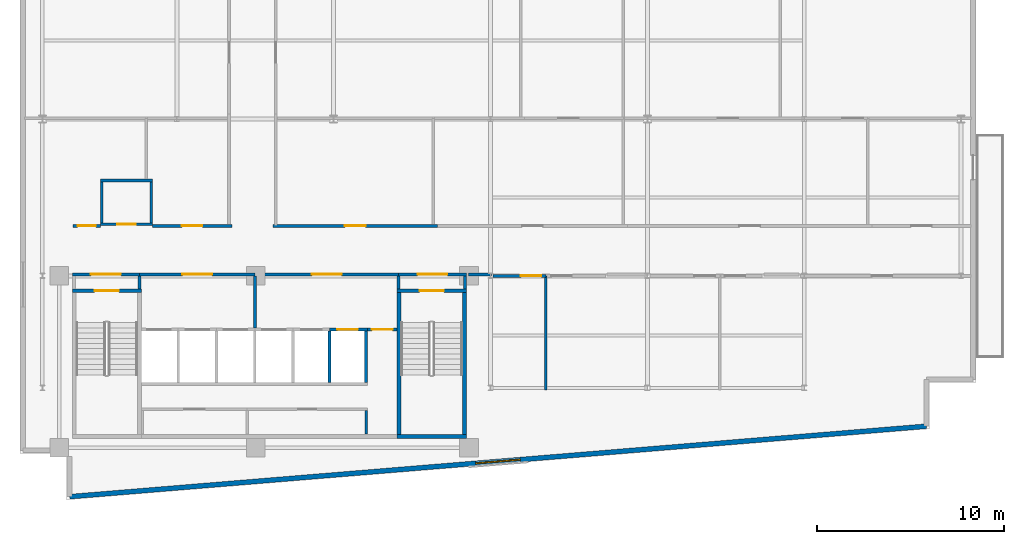
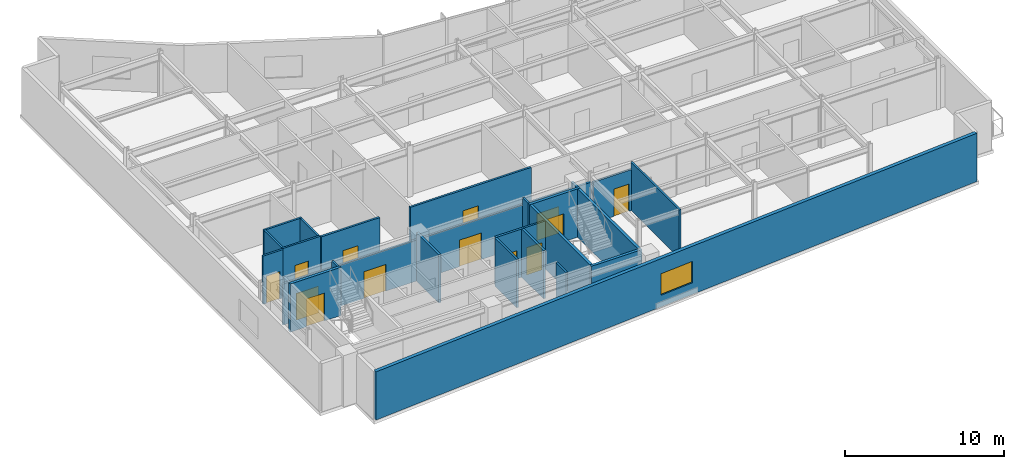
# One storey, part 9 of 14: 29 walls, 13 doors, 1 window, 14 openings.
"""IFC4 building model written with IfcOpenShell, lengths in metres."""

from ifc_helpers import new_model, si_unit, direction, frame, frame_2d, origin, place, context, subcontext, project, spatial, rectangle, extrude, material, layer, layer_set, type_object, element, fill, save


model = new_model("IFC4")

# Units and contexts
model_context = context("Model", 3, precision=1e-05, world=origin(), true_north=direction((0.0, 1.0)))
body_context = subcontext(model_context, "Body", "Model", "MODEL_VIEW")
ifc_project = project(units=[si_unit("LENGTHUNIT", "METRE"), si_unit("AREAUNIT", "SQUARE_METRE"), si_unit("VOLUMEUNIT", "CUBIC_METRE"), si_unit("PLANEANGLEUNIT", "RADIAN"), si_unit("MASSUNIT", "GRAM", prefix="KILO")], contexts=[model_context])

# Site, building, storey
site_placement = place(None, origin())
site = spatial("IfcSite", under=ifc_project, at=site_placement, CompositionType="ELEMENT")
building_placement = place(site_placement, origin())
building = spatial("IfcBuilding", under=site, at=building_placement, Name="Varnakote Quay Hospital", CompositionType="ELEMENT")
storey_placement = place(building_placement, frame((0.0, 0.0, 211.85009765625)))
storey = spatial("IfcBuildingStorey", under=building, at=storey_placement, Name="L52", CompositionType="ELEMENT", Elevation=211.85009765625)

# Wall, opening, door
ifc_material_1 = material(Name="Fire-rated acoustic gypsum stud wall", Category="gypsum")
ifc_layer_1 = layer(ifc_material_1, 0.159912109375)
ifc_layer_set_1 = layer_set([ifc_layer_1], Name="Fire-rated acoustic gypsum stud wall")
wall_type_1 = type_object("IfcWallType", Name="WL-COMP-160", PredefinedType="PARTITIONING", material=ifc_layer_set_1)
wall_1_placement = place(storey_placement, frame((2.800048828125, 12.080078125, 0.0), z_axis=(0.0, 0.0, 1.0), x_axis=(1.0, 0.0, 0.0)))
wall_1 = element("IfcWall", 1, at=wall_1_placement, inside=storey, type_object=wall_type_1, Name="L52 West Stair Vestibule Smoke Wall", PredefinedType="PARTITIONING", context=body_context, shape_type="SweptSolid", body=[
    extrude(rectangle(XDim=3.599853515625, YDim=0.159912109375, at=frame_2d((1.7998046875, 0.0))), origin(), (0.0, 0.0, 1.0), 3.15185546875),
])
opening_1_placement = place(wall_1_placement, frame((1.0, 0.0, 0.0)))
opening_1 = element("IfcOpeningElement", 2, at=opening_1_placement, cuts=wall_1, Name="Opening D-ST1L-L52", PredefinedType="OPENING", context=body_context, shape_type="SweptSolid", body=[
    extrude(rectangle(XDim=1.60009765625, YDim=2.050048828125, at=frame_2d((0.800048828125, 1.02490234375))), frame((0.0, 0.08984375, 0.0), z_axis=(0.0, -1.0, 0.0), x_axis=(1.0, 0.0, 0.0)), (0.0, 0.0, 1.0), 0.179931640625),
])
ifc_material_2 = material(Name="Fire-rated double smoke lobby door")
door_type_1 = type_object("IfcDoorType", Name="DR-LOBBY-FD60S-1600x2150", OperationType="NOTDEFINED", PredefinedType="DOOR", material=ifc_material_2)
door_1_placement = place(opening_1_placement, origin())
door_1 = element("IfcDoor", 3, at=door_1_placement, inside=storey, type_object=door_type_1, Name="L52 West Stair Vestibule Smoke Door", OperationType="DOUBLE_DOOR_SINGLE_SWING", OverallHeight=2.050048828125, OverallWidth=1.60009765625, PredefinedType="DOOR", context=body_context, shape_type="SweptSolid", body=[
    extrude(rectangle(XDim=1.60009765625, YDim=2.050048828125, at=frame_2d((0.800048828125, 1.02490234375))), frame((0.0, 0.02490234375, 0.0), z_axis=(0.0, -1.0, 0.0), x_axis=(1.0, 0.0, 0.0)), (0.0, 0.0, 1.0), 0.050048828125),
])
fill(opening_1, door_1)

# Wall
wall_2_placement = place(storey_placement, frame((6.39990234375, 11.300048828125, 0.0), z_axis=(0.0, 0.0, 1.0), x_axis=(0.0, 1.0, 0.0)))
element("IfcWall", 4, at=wall_2_placement, inside=storey, type_object=wall_type_1, Name="L52 Firefighting Lobby West Wall", PredefinedType="PARTITIONING", context=body_context, shape_type="SweptSolid", body=[
    extrude(rectangle(XDim=0.699951171875, YDim=0.159912109375, at=frame_2d((0.35009765625, 0.0))), origin(), (0.0, 0.0, 1.0), 3.7099609375),
])

# Wall, opening, door
wall_3_placement = place(storey_placement, frame((6.39990234375, 12.080078125, 0.0), z_axis=(0.0, 0.0, 1.0), x_axis=(1.0, 0.0, 0.0)))
wall_3 = element("IfcWall", 5, at=wall_3_placement, inside=storey, type_object=wall_type_1, Name="L52 Firefighting Lift Lobby Compartment Wall", PredefinedType="PARTITIONING", context=body_context, shape_type="SweptSolid", body=[
    extrude(rectangle(XDim=6.18017578125, YDim=0.159912109375, at=frame_2d((3.090087890625, 0.0))), origin(), (0.0, 0.0, 1.0), 3.15185546875),
])
opening_2_placement = place(wall_3_placement, frame((2.2900390625, 0.0, 0.0)))
opening_2 = element("IfcOpeningElement", 6, at=opening_2_placement, cuts=wall_3, Name="Opening D-FFL-L52", PredefinedType="OPENING", context=body_context, shape_type="SweptSolid", body=[
    extrude(rectangle(XDim=1.60009765625, YDim=2.050048828125, at=frame_2d((0.800048828125, 1.02490234375))), frame((0.0, 0.08984375, 0.0), z_axis=(0.0, -1.0, 0.0), x_axis=(1.0, 0.0, 0.0)), (0.0, 0.0, 1.0), 0.179931640625),
])
door_2_placement = place(opening_2_placement, origin())
door_2 = element("IfcDoor", 7, at=door_2_placement, inside=storey, type_object=door_type_1, Name="L52 Firefighting Smoke Vestibule Door", OperationType="DOUBLE_DOOR_SINGLE_SWING", OverallHeight=2.050048828125, OverallWidth=1.60009765625, PredefinedType="DOOR", context=body_context, shape_type="SweptSolid", body=[
    extrude(rectangle(XDim=1.60009765625, YDim=2.050048828125, at=frame_2d((0.800048828125, 1.02490234375))), frame((0.0, 0.02490234375, 0.0), z_axis=(0.0, -1.0, 0.0), x_axis=(1.0, 0.0, 0.0)), (0.0, 0.0, 1.0), 0.050048828125),
])
fill(opening_2, door_2)

# Wall
wall_4_placement = place(storey_placement, frame((12.580078125, 9.2099609375, 0.0), z_axis=(0.0, 0.0, 1.0), x_axis=(0.0, 1.0, 0.0)))
element("IfcWall", 8, at=wall_4_placement, inside=storey, type_object=wall_type_1, Name="L52 Firefighting to Service Lobby Wall", PredefinedType="PARTITIONING", context=body_context, shape_type="SweptSolid", body=[
    extrude(rectangle(XDim=2.7900390625, YDim=0.159912109375, at=frame_2d((1.39501953125, 0.0))), origin(), (0.0, 0.0, 1.0), 3.7099609375),
])

# Wall, opening, door
wall_5_placement = place(storey_placement, frame((12.580078125, 12.080078125, 0.0), z_axis=(0.0, 0.0, 1.0), x_axis=(1.0, 0.0, 0.0)))
wall_5 = element("IfcWall", 9, at=wall_5_placement, inside=storey, type_object=wall_type_1, Name="L52 Clinical Bed Lift Lobby Wall", PredefinedType="PARTITIONING", context=body_context, shape_type="SweptSolid", body=[
    extrude(rectangle(XDim=7.699951171875, YDim=0.159912109375, at=frame_2d((3.85009765625, 0.0))), origin(), (0.0, 0.0, 1.0), 3.15185546875),
])
opening_3_placement = place(wall_5_placement, frame((3.050048828125, 0.0, 0.0)))
opening_3 = element("IfcOpeningElement", 10, at=opening_3_placement, cuts=wall_5, Name="Opening D-SVL-L52", PredefinedType="OPENING", context=body_context, shape_type="SweptSolid", body=[
    extrude(rectangle(XDim=1.60009765625, YDim=2.050048828125, at=frame_2d((0.800048828125, 1.02490234375))), frame((0.0, 0.08984375, 0.0), z_axis=(0.0, -1.0, 0.0), x_axis=(1.0, 0.0, 0.0)), (0.0, 0.0, 1.0), 0.179931640625),
])
door_3_placement = place(opening_3_placement, origin())
door_3 = element("IfcDoor", 11, at=door_3_placement, inside=storey, type_object=door_type_1, Name="L52 Clinical Core Smoke Vestibule Door", OperationType="DOUBLE_DOOR_SINGLE_SWING", OverallHeight=2.050048828125, OverallWidth=1.60009765625, PredefinedType="DOOR", context=body_context, shape_type="SweptSolid", body=[
    extrude(rectangle(XDim=1.60009765625, YDim=2.050048828125, at=frame_2d((0.800048828125, 1.02490234375))), frame((0.0, 0.02490234375, 0.0), z_axis=(0.0, -1.0, 0.0), x_axis=(1.0, 0.0, 0.0)), (0.0, 0.0, 1.0), 0.050048828125),
])
fill(opening_3, door_3)

# Wall
wall_6_placement = place(storey_placement, frame((20.280029296875, 11.300048828125, 0.0), z_axis=(0.0, 0.0, 1.0), x_axis=(0.0, 1.0, 0.0)))
element("IfcWall", 12, at=wall_6_placement, inside=storey, type_object=wall_type_1, Name="L52 East Stair Vestibule Divider Wall", PredefinedType="PARTITIONING", context=body_context, shape_type="SweptSolid", body=[
    extrude(rectangle(XDim=0.699951171875, YDim=0.159912109375, at=frame_2d((0.35009765625, 0.0))), origin(), (0.0, 0.0, 1.0), 3.7099609375),
])

# Wall, opening, door
wall_7_placement = place(storey_placement, frame((20.280029296875, 12.080078125, 0.0), z_axis=(0.0, 0.0, 1.0), x_axis=(1.0, 0.0, 0.0)))
wall_7 = element("IfcWall", 13, at=wall_7_placement, inside=storey, type_object=wall_type_1, Name="L52 East Stair Vestibule Smoke Wall", PredefinedType="PARTITIONING", context=body_context, shape_type="SweptSolid", body=[
    extrude(rectangle(XDim=3.619873046875, YDim=0.159912109375, at=frame_2d((1.81005859375, 0.0))), origin(), (0.0, 0.0, 1.0), 3.15185546875),
])
opening_4_placement = place(wall_7_placement, frame((1.010009765625, 0.0, 0.0)))
opening_4 = element("IfcOpeningElement", 14, at=opening_4_placement, cuts=wall_7, Name="Opening D-ST2L-L52", PredefinedType="OPENING", context=body_context, shape_type="SweptSolid", body=[
    extrude(rectangle(XDim=1.60009765625, YDim=2.050048828125, at=frame_2d((0.800048828125, 1.02490234375))), frame((0.0, 0.08984375, 0.0), z_axis=(0.0, -1.0, 0.0), x_axis=(1.0, 0.0, 0.0)), (0.0, 0.0, 1.0), 0.179931640625),
])
door_4_placement = place(opening_4_placement, origin())
door_4 = element("IfcDoor", 15, at=door_4_placement, inside=storey, type_object=door_type_1, Name="L52 East Stair Vestibule Smoke Door", OperationType="DOUBLE_DOOR_SINGLE_SWING", OverallHeight=2.050048828125, OverallWidth=1.60009765625, PredefinedType="DOOR", context=body_context, shape_type="SweptSolid", body=[
    extrude(rectangle(XDim=1.60009765625, YDim=2.050048828125, at=frame_2d((0.800048828125, 1.02490234375))), frame((0.0, 0.02490234375, 0.0), z_axis=(0.0, -1.0, 0.0), x_axis=(1.0, 0.0, 0.0)), (0.0, 0.0, 1.0), 0.050048828125),
])
fill(opening_4, door_4)

# Walls
wall_8_placement = place(storey_placement, frame((23.820068359375, 11.300048828125, 0.0), z_axis=(0.0, 0.0, 1.0), x_axis=(0.0, 1.0, 0.0)))
element("IfcWall", 16, at=wall_8_placement, inside=storey, type_object=wall_type_1, Name="L52 East Stair Vestibule East Wall", PredefinedType="PARTITIONING", context=body_context, shape_type="SweptSolid", body=[
    extrude(rectangle(XDim=0.699951171875, YDim=0.159912109375, at=frame_2d((0.35009765625, 0.0))), origin(), (0.0, 0.0, 1.0), 3.7099609375),
])
wall_9_placement = place(storey_placement, frame((24.02001953125, 12.080078125, 0.0), z_axis=(0.0, 0.0, 1.0), x_axis=(1.0, 0.0, 0.0)))
element("IfcWall", 17, at=wall_9_placement, inside=storey, type_object=wall_type_1, Name="L52 Corridor South Gap Wall", PredefinedType="PARTITIONING", context=body_context, shape_type="SweptSolid", body=[
    extrude(rectangle(XDim=1.21875, YDim=0.159912109375, at=frame_2d((0.609375, 0.0))), origin(), (0.0, 0.0, 1.0), 3.15185546875),
])

# Wall, opening, window
ifc_material_3 = material(Name="Precast concrete N50 (f'c 50 MPa)", Category="concrete")
ifc_layer_2 = layer(ifc_material_3, 0.260009765625)
ifc_layer_set_2 = layer_set([ifc_layer_2], Name="Precast concrete N50 (f'c 50 MPa)")
wall_type_2 = type_object("IfcWallType", Name="WL-EXT-BRICK-260", PredefinedType="STANDARD", material=ifc_layer_set_2)
wall_10_placement = place(storey_placement, frame((2.659912109375, 0.173583984375, 0.0), z_axis=(0.0, 0.0, 1.0), x_axis=(0.996634028439, 0.081979347142, 0.0)))
wall_10 = element("IfcWall", 18, at=wall_10_placement, inside=storey, type_object=wall_type_2, Name="L52 Brick-Faced Precast Exterior Wall", PredefinedType="STANDARD", context=body_context, shape_type="SweptSolid", body=[
    extrude(rectangle(XDim=46.03515625, YDim=0.260009765625, at=frame_2d((23.017578125, 0.0))), origin(), (0.0, 0.0, 1.0), 3.7099609375),
])
opening_5_placement = place(wall_10_placement, frame((21.8173828125, 0.0, 0.89990234375)))
opening_5 = element("IfcOpeningElement", 19, at=opening_5_placement, cuts=wall_10, Name="Opening WN-0214", PredefinedType="OPENING", context=body_context, shape_type="SweptSolid", body=[
    extrude(rectangle(XDim=2.39990234375, YDim=1.64990234375, at=frame_2d((1.199951171875, 0.824951171875))), frame((0.0, 0.139892578125, 0.0), z_axis=(0.0, -1.0, 0.0), x_axis=(1.0, 0.0, 0.0)), (0.0, 0.0, 1.0), 0.280029296875),
])
ifc_material_4 = material(Name="Double-glazed low-E solar glass", Category="glass")
window_type = type_object("IfcWindowType", Name="WIN-CLIN-2400x1650", PartitioningType="SINGLE_PANEL", PredefinedType="WINDOW", material=ifc_material_4)
window_placement = place(opening_5_placement, origin())
window = element("IfcWindow", 20, at=window_placement, inside=storey, type_object=window_type, Name="L52 Solar-Control Clinical Window", OverallHeight=1.64990234375, OverallWidth=2.39990234375, PartitioningType="SINGLE_PANEL", PredefinedType="WINDOW", context=body_context, shape_type="SweptSolid", body=[
    extrude(rectangle(XDim=2.39990234375, YDim=1.64990234375, at=frame_2d((1.199951171875, 0.824951171875))), frame((0.0, 0.030029296875, 0.0), z_axis=(0.0, -1.0, 0.0), x_axis=(1.0, 0.0, 0.0)), (0.0, 0.0, 1.0), 0.06005859375),
])
fill(opening_5, window)

# Walls
ifc_material_5 = material(Name="Concrete N50 (f'c 50 MPa)", Category="concrete")
ifc_layer_3 = layer(ifc_material_5, 0.14990234375)
ifc_layer_set_3 = layer_set([ifc_layer_3], Name="Concrete N50 (f'c 50 MPa)")
wall_type_3 = type_object("IfcWallType", Name="WL-SHAFT-N50-150", PredefinedType="SHEAR", material=ifc_layer_set_3)
wall_11_placement = place(storey_placement, frame((16.574951171875, 6.300048828125, 0.0), z_axis=(0.0, 0.0, 1.0), x_axis=(0.0, 1.0, 0.0)))
element("IfcWall", 21, at=wall_11_placement, inside=storey, type_object=wall_type_3, Name="L52 LF-PH1 Hoistway Divider Wall", PredefinedType="SHEAR", context=body_context, shape_type="SweptSolid", body=[
    extrude(rectangle(XDim=2.75, YDim=0.14990234375, at=frame_2d((1.375, 0.0))), origin(), (0.0, 0.0, 1.0), 3.7099609375),
])
ifc_material_6 = material(Name="Concrete N50 (f'c 50 MPa)", Category="concrete")
ifc_layer_4 = layer(ifc_material_6, 0.159912109375)
ifc_layer_set_4 = layer_set([ifc_layer_4], Name="Concrete N50 (f'c 50 MPa)")
wall_type_4 = type_object("IfcWallType", Name="WL-SHAFT-N50-160", PredefinedType="SHEAR", material=ifc_layer_set_4)
wall_12_placement = place(storey_placement, frame((18.530029296875, 6.300048828125, 0.0), z_axis=(0.0, 0.0, 1.0), x_axis=(0.0, 1.0, 0.0)))
element("IfcWall", 22, at=wall_12_placement, inside=storey, type_object=wall_type_4, Name="L52 REAR Lift Bank East Shear Wall", PredefinedType="SHEAR", context=body_context, shape_type="SweptSolid", body=[
    extrude(rectangle(XDim=2.75, YDim=0.159912109375, at=frame_2d((1.375, 0.0))), origin(), (0.0, 0.0, 1.0), 3.7099609375),
])

# Wall, opening, door
wall_13_placement = place(storey_placement, frame((16.574951171875, 9.1298828125, 0.0), z_axis=(0.0, 0.0, 1.0), x_axis=(1.0, 0.0, 0.0)))
wall_13 = element("IfcWall", 23, at=wall_13_placement, inside=storey, type_object=wall_type_4, Name="L52 LF-PH2 Hoistway Front Wall", PredefinedType="SHEAR", context=body_context, shape_type="SweptSolid", body=[
    extrude(rectangle(XDim=2.03515625, YDim=0.159912109375, at=frame_2d((1.017578125, 0.0))), origin(), (0.0, 0.0, 1.0), 3.7099609375),
])
opening_6_placement = place(wall_13_placement, frame((0.425048828125, 0.0, 0.0)))
opening_6 = element("IfcOpeningElement", 24, at=opening_6_placement, cuts=wall_13, Name="Opening LD-PH2-L52", PredefinedType="OPENING", context=body_context, shape_type="SweptSolid", body=[
    extrude(rectangle(XDim=1.10009765625, YDim=2.14990234375, at=frame_2d((0.550048828125, 1.074951171875))), frame((0.0, 0.08984375, 0.0), z_axis=(0.0, -1.0, 0.0), x_axis=(1.0, 0.0, 0.0)), (0.0, 0.0, 1.0), 0.179931640625),
])
ifc_material_7 = material(Name="Brushed bronze lift landing sliding door")
door_type_2 = type_object("IfcDoorType", Name="DR-LIFT-LD-1100x2150", OperationType="NOTDEFINED", PredefinedType="DOOR", material=ifc_material_7)
door_5_placement = place(opening_6_placement, origin())
door_5 = element("IfcDoor", 25, at=door_5_placement, inside=storey, type_object=door_type_2, Name="L52 LF-PH2 Lift Landing Sliding Door", OperationType="SLIDING_TO_LEFT", OverallHeight=2.14990234375, OverallWidth=1.10009765625, PredefinedType="DOOR", context=body_context, shape_type="SweptSolid", body=[
    extrude(rectangle(XDim=1.10009765625, YDim=2.14990234375, at=frame_2d((0.550048828125, 1.074951171875))), frame((0.0, 0.02490234375, 0.0), z_axis=(0.0, -1.0, 0.0), x_axis=(1.0, 0.0, 0.0)), (0.0, 0.0, 1.0), 0.050048828125),
])
fill(opening_6, door_5)

ifc_material_8 = material(Name="Concrete N50 (f'c 50 MPa)", Category="concrete")
ifc_layer_5 = layer(ifc_material_8, 0.199951171875)
ifc_layer_set_5 = layer_set([ifc_layer_5], Name="Concrete N50 (f'c 50 MPa)")
wall_type_5 = type_object("IfcWallType", Name="WL-SHAFT-N50-200", PredefinedType="SHEAR", material=ifc_layer_set_5)
wall_14_placement = place(storey_placement, frame((2.800048828125, 11.199951171875, 0.0), z_axis=(0.0, 0.0, 1.0), x_axis=(1.0, 0.0, 0.0)))
wall_14 = element("IfcWall", 26, at=wall_14_placement, inside=storey, type_object=wall_type_5, Name="L52 Stair ST1 Exit Wall", PredefinedType="SHEAR", context=body_context, shape_type="SweptSolid", body=[
    extrude(rectangle(XDim=3.699951171875, YDim=0.199951171875, at=frame_2d((1.85009765625, 0.0))), origin(), (0.0, 0.0, 1.0), 3.7099609375),
])
opening_7_placement = place(wall_14_placement, frame((1.199951171875, 0.0, 0.0)))
opening_7 = element("IfcOpeningElement", 27, at=opening_7_placement, cuts=wall_14, Name="Opening D-ST1-L52", PredefinedType="OPENING", context=body_context, shape_type="SweptSolid", body=[
    extrude(rectangle(XDim=1.300048828125, YDim=2.14990234375, at=frame_2d((0.64990234375, 1.074951171875))), frame((0.0, 0.10986328125, 0.0), z_axis=(0.0, -1.0, 0.0), x_axis=(1.0, 0.0, 0.0)), (0.0, 0.0, 1.0), 0.219970703125),
])
ifc_material_9 = material(Name="Fire-rated ceramic-glazed timber exit door", Category="wood")
door_type_3 = type_object("IfcDoorType", Name="DR-STAIR-FD60S-1300x2150", OperationType="NOTDEFINED", PredefinedType="DOOR", material=ifc_material_9)
door_6_placement = place(opening_7_placement, origin())
door_6 = element("IfcDoor", 28, at=door_6_placement, inside=storey, type_object=door_type_3, Name="L52 Stair ST1 Fire Exit Door", OperationType="SINGLE_SWING_LEFT", OverallHeight=2.14990234375, OverallWidth=1.300048828125, PredefinedType="DOOR", context=body_context, shape_type="SweptSolid", body=[
    extrude(rectangle(XDim=1.300048828125, YDim=2.14990234375, at=frame_2d((0.64990234375, 1.074951171875))), frame((0.0, 0.02490234375, 0.0), z_axis=(0.0, -1.0, 0.0), x_axis=(1.0, 0.0, 0.0)), (0.0, 0.0, 1.0), 0.050048828125),
])
fill(opening_7, door_6)

# Walls
wall_15_placement = place(storey_placement, frame((20.199951171875, 3.39990234375, 0.0), z_axis=(0.0, 0.0, 1.0), x_axis=(1.0, 0.0, 0.0)))
element("IfcWall", 29, at=wall_15_placement, inside=storey, type_object=wall_type_5, Name="L52 Stair ST2 South Shaft Wall", PredefinedType="SHEAR", context=body_context, shape_type="SweptSolid", body=[
    extrude(rectangle(XDim=3.699951171875, YDim=0.199951171875, at=frame_2d((1.85009765625, 0.0))), origin(), (0.0, 0.0, 1.0), 3.7099609375),
])
for number, where, z_axis, x_axis, name in (
    (30, (20.300048828125, 3.5, 0.0), (0.0, 0.0, 1.0), (0.0, 1.0, 0.0), "L52 Stair ST2 West Shaft Wall"),
    (31, (23.800048828125, 3.5, 0.0), (0.0, 0.0, 1.0), (0.0, 1.0, 0.0), "L52 Stair ST2 East Shaft Wall"),
):
    element("IfcWall", number, at=place(storey_placement, frame(where, z_axis=z_axis, x_axis=x_axis)), inside=storey, type_object=wall_type_5, Name=name, PredefinedType="SHEAR", context=body_context, shape_type="SweptSolid", body=[
        extrude(rectangle(XDim=7.60009765625, YDim=0.199951171875, at=frame_2d((3.800048828125, 0.0))), origin(), (0.0, 0.0, 1.0), 3.7099609375),
    ])

# Wall, opening, door
wall_16_placement = place(storey_placement, frame((20.199951171875, 11.199951171875, 0.0), z_axis=(0.0, 0.0, 1.0), x_axis=(1.0, 0.0, 0.0)))
wall_16 = element("IfcWall", 32, at=wall_16_placement, inside=storey, type_object=wall_type_5, Name="L52 Stair ST2 Exit Wall", PredefinedType="SHEAR", context=body_context, shape_type="SweptSolid", body=[
    extrude(rectangle(XDim=3.699951171875, YDim=0.199951171875, at=frame_2d((1.85009765625, 0.0))), origin(), (0.0, 0.0, 1.0), 3.7099609375),
])
opening_8_placement = place(wall_16_placement, frame((1.199951171875, 0.0, 0.0)))
opening_8 = element("IfcOpeningElement", 33, at=opening_8_placement, cuts=wall_16, Name="Opening D-ST2-L52", PredefinedType="OPENING", context=body_context, shape_type="SweptSolid", body=[
    extrude(rectangle(XDim=1.300048828125, YDim=2.14990234375, at=frame_2d((0.64990234375, 1.074951171875))), frame((0.0, 0.10986328125, 0.0), z_axis=(0.0, -1.0, 0.0), x_axis=(1.0, 0.0, 0.0)), (0.0, 0.0, 1.0), 0.219970703125),
])
door_7_placement = place(opening_8_placement, origin())
door_7 = element("IfcDoor", 34, at=door_7_placement, inside=storey, type_object=door_type_3, Name="L52 Stair ST2 Fire Exit Door", OperationType="SINGLE_SWING_RIGHT", OverallHeight=2.14990234375, OverallWidth=1.300048828125, PredefinedType="DOOR", context=body_context, shape_type="SweptSolid", body=[
    extrude(rectangle(XDim=1.300048828125, YDim=2.14990234375, at=frame_2d((0.64990234375, 1.074951171875))), frame((0.0, 0.02490234375, 0.0), z_axis=(0.0, -1.0, 0.0), x_axis=(1.0, 0.0, 0.0)), (0.0, 0.0, 1.0), 0.050048828125),
])
fill(opening_8, door_7)

# Walls
ifc_material_10 = material(Name="Smoke-proof clinical partition", Category="gypsum")
ifc_layer_6 = layer(ifc_material_10, 0.1201171875)
ifc_layer_set_6 = layer_set([ifc_layer_6], Name="Smoke-proof clinical partition")
wall_type_6 = type_object("IfcWallType", Name="WL-SMOKE-120", PredefinedType="PARTITIONING", material=ifc_layer_set_6)
wall_17_placement = place(storey_placement, frame((18.5400390625, 3.52001953125, 0.0), z_axis=(0.0, 0.0, 1.0), x_axis=(0.0, 1.0, 0.0)))
element("IfcWall", 35, at=wall_17_placement, inside=storey, type_object=wall_type_6, Name="L52 Core South Service East Wall", PredefinedType="PARTITIONING", context=body_context, shape_type="SweptSolid", body=[
    extrude(rectangle(XDim=1.260009765625, YDim=0.1201171875, at=frame_2d((0.6298828125, 0.0))), origin(), (0.0, 0.0, 1.0), 3.7099609375),
])
ifc_material_11 = material(Name="Smoke-proof clinical partition", Category="gypsum")
ifc_layer_7 = layer(ifc_material_11, 0.135009765625)
ifc_layer_set_7 = layer_set([ifc_layer_7], Name="Smoke-proof clinical partition")
wall_type_7 = type_object("IfcWallType", Name="WL-SMOKE-135", PredefinedType="PARTITIONING", material=ifc_layer_set_7)
wall_18_placement = place(storey_placement, frame((28.159912109375, 5.89990234375, 0.0), z_axis=(0.0, 0.0, 1.0), x_axis=(0.0, 1.0, 0.0)))
element("IfcWall", 36, at=wall_18_placement, inside=storey, type_object=wall_type_7, Name="L52 Clinical Interior Partition", PredefinedType="PARTITIONING", context=body_context, shape_type="SweptSolid", body=[
    extrude(rectangle(XDim=6.10009765625, YDim=0.135009765625, at=frame_2d((3.050048828125, 0.0))), origin(), (0.0, 0.0, 1.0), 3.7099609375),
])

# Wall, opening, door
ifc_material_12 = material(Name="Fire-rated clinical gypsum partition", Category="gypsum")
ifc_layer_8 = layer(ifc_material_12, 0.139892578125)
ifc_layer_set_8 = layer_set([ifc_layer_8], Name="Fire-rated clinical gypsum partition")
wall_type_8 = type_object("IfcWallType", Name="WL-WARD-140", PredefinedType="PARTITIONING", material=ifc_layer_set_8)
wall_19_placement = place(storey_placement, frame((18.610107421875, 9.1298828125, 0.0), z_axis=(0.0, 0.0, 1.0), x_axis=(1.0, 0.0, 0.0)))
wall_19 = element("IfcWall", 37, at=wall_19_placement, inside=storey, type_object=wall_type_8, Name="L52 Core Service Corridor North Door Wall", PredefinedType="PARTITIONING", context=body_context, shape_type="SweptSolid", body=[
    extrude(rectangle(XDim=1.58984375, YDim=0.139892578125, at=frame_2d((0.794921875, 0.0))), origin(), (0.0, 0.0, 1.0), 3.7099609375),
])
opening_9_placement = place(wall_19_placement, frame((0.239990234375, 0.0, 0.0)))
opening_9 = element("IfcOpeningElement", 38, at=opening_9_placement, cuts=wall_19, Name="Opening D-CSRV-L52", PredefinedType="OPENING", context=body_context, shape_type="SweptSolid", body=[
    extrude(rectangle(XDim=1.10009765625, YDim=2.10009765625, at=frame_2d((0.550048828125, 1.050048828125))), frame((0.0, 0.079833984375, 0.0), z_axis=(0.0, -1.0, 0.0), x_axis=(1.0, 0.0, 0.0)), (0.0, 0.0, 1.0), 0.159912109375),
])
ifc_material_13 = material(Name="Acoustic timber clinical consult door", Category="wood")
door_type_4 = type_object("IfcDoorType", Name="DR-CLIN-FD30S-1100x2100", OperationType="NOTDEFINED", PredefinedType="DOOR", material=ifc_material_13)
door_8_placement = place(opening_9_placement, origin())
door_8 = element("IfcDoor", 39, at=door_8_placement, inside=storey, type_object=door_type_4, Name="L52 Core Service Corridor Door", OperationType="SINGLE_SWING_LEFT", OverallHeight=2.10009765625, OverallWidth=1.10009765625, PredefinedType="DOOR", context=body_context, shape_type="SweptSolid", body=[
    extrude(rectangle(XDim=1.10009765625, YDim=2.10009765625, at=frame_2d((0.550048828125, 1.050048828125))), frame((0.0, 0.02490234375, 0.0), z_axis=(0.0, -1.0, 0.0), x_axis=(1.0, 0.0, 0.0)), (0.0, 0.0, 1.0), 0.050048828125),
])
fill(opening_9, door_8)

wall_20_placement = place(storey_placement, frame((4.31005859375, 14.77001953125, 0.0), z_axis=(0.0, 0.0, 1.0), x_axis=(1.0, 0.0, 0.0)))
wall_20 = element("IfcWall", 40, at=wall_20_placement, inside=storey, type_object=wall_type_8, Name="L52 Floor Unisex Accessible WC S Wall", PredefinedType="PARTITIONING", context=body_context, shape_type="SweptSolid", body=[
    extrude(rectangle(XDim=2.780029296875, YDim=0.139892578125, at=frame_2d((1.39013671875, 0.0))), origin(), (0.0, 0.0, 1.0), 3.7099609375),
])
opening_10_placement = place(wall_20_placement, frame((0.89990234375, 0.0, 0.0)))
opening_10 = element("IfcOpeningElement", 41, at=opening_10_placement, cuts=wall_20, Name="Opening D-L52-EW01", PredefinedType="OPENING", context=body_context, shape_type="SweptSolid", body=[
    extrude(rectangle(XDim=0.97998046875, YDim=2.10009765625, at=frame_2d((0.489990234375, 1.050048828125))), frame((0.0, 0.079833984375, 0.0), z_axis=(0.0, -1.0, 0.0), x_axis=(1.0, 0.0, 0.0)), (0.0, 0.0, 1.0), 0.159912109375),
])
ifc_material_14 = material(Name="Accessible sanitary compartment door")
door_type_5 = type_object("IfcDoorType", Name="DR-WC-980x2100", OperationType="NOTDEFINED", PredefinedType="DOOR", material=ifc_material_14)
door_9_placement = place(opening_10_placement, origin())
door_9 = element("IfcDoor", 42, at=door_9_placement, inside=storey, type_object=door_type_5, Name="L52 Floor Unisex Accessible WC Door", OperationType="SINGLE_SWING_RIGHT", OverallHeight=2.10009765625, OverallWidth=0.97998046875, PredefinedType="DOOR", context=body_context, shape_type="SweptSolid", body=[
    extrude(rectangle(XDim=0.97998046875, YDim=2.10009765625, at=frame_2d((0.489990234375, 1.050048828125))), frame((0.0, 0.02490234375, 0.0), z_axis=(0.0, -1.0, 0.0), x_axis=(1.0, 0.0, 0.0)), (0.0, 0.0, 1.0), 0.050048828125),
])
fill(opening_10, door_9)

# Walls
wall_21_placement = place(storey_placement, frame((4.31005859375, 17.110107421875, 0.0), z_axis=(0.0, 0.0, 1.0), x_axis=(1.0, 0.0, 0.0)))
element("IfcWall", 43, at=wall_21_placement, inside=storey, type_object=wall_type_8, Name="L52 Floor Unisex Accessible WC N Wall", PredefinedType="PARTITIONING", context=body_context, shape_type="SweptSolid", body=[
    extrude(rectangle(XDim=2.780029296875, YDim=0.139892578125, at=frame_2d((1.39013671875, 0.0))), origin(), (0.0, 0.0, 1.0), 3.7099609375),
])
for number, where, z_axis, x_axis, name in (
    (44, (4.3798828125, 14.840087890625, 0.0), (0.0, 0.0, 1.0), (0.0, 1.0, 0.0), "L52 Floor Unisex Accessible WC W Wall"),
    (45, (7.02001953125, 14.840087890625, 0.0), (0.0, 0.0, 1.0), (0.0, 1.0, 0.0), "L52 Floor Unisex Accessible WC E Wall"),
):
    element("IfcWall", number, at=place(storey_placement, frame(where, z_axis=z_axis, x_axis=x_axis)), inside=storey, type_object=wall_type_8, Name=name, PredefinedType="PARTITIONING", context=body_context, shape_type="SweptSolid", body=[
        extrude(rectangle(XDim=2.199951171875, YDim=0.139892578125, at=frame_2d((1.10009765625, 0.0))), origin(), (0.0, 0.0, 1.0), 3.7099609375),
    ])

# Wall, opening, door
ifc_material_15 = material(Name="Fire-rated clinical gypsum partition", Category="gypsum")
ifc_layer_9 = layer(ifc_material_15, 0.14990234375)
ifc_layer_set_9 = layer_set([ifc_layer_9], Name="Fire-rated clinical gypsum partition")
wall_type_9 = type_object("IfcWallType", Name="WL-WARD-150", PredefinedType="PARTITIONING", material=ifc_layer_set_9)
wall_22_placement = place(storey_placement, frame((28.159912109375, 12.0, 0.0), z_axis=(0.0, 0.0, 1.0), x_axis=(-1.0, 0.0, 0.0)))
wall_22 = element("IfcWall", 46, at=wall_22_placement, inside=storey, type_object=wall_type_9, Name="L52 Clinical Interior Partition", PredefinedType="PARTITIONING", context=body_context, shape_type="SweptSolid", body=[
    extrude(rectangle(XDim=2.83203125, YDim=0.14990234375, at=frame_2d((1.416015625, 0.0))), origin(), (0.0, 0.0, 1.0), 3.15185546875),
])
opening_11_placement = place(wall_22_placement, frame((0.2333984375, 0.0, 0.0)))
opening_11 = element("IfcOpeningElement", 47, at=opening_11_placement, cuts=wall_22, Name="Opening D-L52-RL1", PredefinedType="OPENING", context=body_context, shape_type="SweptSolid", body=[
    extrude(rectangle(XDim=1.10009765625, YDim=2.10009765625, at=frame_2d((0.550048828125, 1.050048828125))), frame((0.0, 0.0849609375, 0.0), z_axis=(0.0, -1.0, 0.0), x_axis=(1.0, 0.0, 0.0)), (0.0, 0.0, 1.0), 0.169921875),
])
door_10_placement = place(opening_11_placement, origin())
door_10 = element("IfcDoor", 48, at=door_10_placement, inside=storey, type_object=door_type_4, Name="L52 Day Infusion Treatment Suite Door", OperationType="SINGLE_SWING_LEFT", OverallHeight=2.10009765625, OverallWidth=1.10009765625, PredefinedType="DOOR", context=body_context, shape_type="SweptSolid", body=[
    extrude(rectangle(XDim=1.10009765625, YDim=2.10009765625, at=frame_2d((0.550048828125, 1.050048828125))), frame((0.0, 0.02490234375, 0.0), z_axis=(0.0, -1.0, 0.0), x_axis=(1.0, 0.0, 0.0)), (0.0, 0.0, 1.0), 0.050048828125),
])
fill(opening_11, door_10)

wall_23_placement = place(storey_placement, frame((4.30810546875, 14.679931640625, 0.0), z_axis=(0.0, 0.0, 1.0), x_axis=(-1.0, 0.0, 0.0)))
wall_23 = element("IfcWall", 49, at=wall_23_placement, inside=storey, type_object=wall_type_9, Name="L52 Clinical Interior Partition", PredefinedType="PARTITIONING", context=body_context, shape_type="SweptSolid", body=[
    extrude(rectangle(XDim=1.4580078125, YDim=0.14990234375, at=frame_2d((0.72900390625, 0.0))), origin(), (0.0, 0.0, 1.0), 3.7099609375),
])
opening_12_placement = place(wall_23_placement, frame((0.239013671875, 0.0, 0.0)))
opening_12 = element("IfcOpeningElement", 50, at=opening_12_placement, cuts=wall_23, Name="Opening D-L52-MD01", PredefinedType="OPENING", context=body_context, shape_type="SweptSolid", body=[
    extrude(rectangle(XDim=0.97998046875, YDim=2.10009765625, at=frame_2d((0.489990234375, 1.050048828125))), frame((0.0, 0.0849609375, 0.0), z_axis=(0.0, -1.0, 0.0), x_axis=(1.0, 0.0, 0.0)), (0.0, 0.0, 1.0), 0.169921875),
])
door_11_placement = place(opening_12_placement, origin())
door_11 = element("IfcDoor", 51, at=door_11_placement, inside=storey, type_object=door_type_5, Name="L52 Day Procedure Treatment Suite Door", OperationType="SINGLE_SWING_RIGHT", OverallHeight=2.10009765625, OverallWidth=0.97998046875, PredefinedType="DOOR", context=body_context, shape_type="SweptSolid", body=[
    extrude(rectangle(XDim=0.97998046875, YDim=2.10009765625, at=frame_2d((0.489990234375, 1.050048828125))), frame((0.0, 0.02490234375, 0.0), z_axis=(0.0, -1.0, 0.0), x_axis=(1.0, 0.0, 0.0)), (0.0, 0.0, 1.0), 0.050048828125),
])
fill(opening_12, door_11)

wall_24_placement = place(storey_placement, frame((11.345947265625, 14.679931640625, 0.0), z_axis=(0.0, 0.0, 1.0), x_axis=(-1.0, 0.0, 0.0)))
wall_24 = element("IfcWall", 52, at=wall_24_placement, inside=storey, type_object=wall_type_9, Name="L52 Clinical Interior Partition", PredefinedType="PARTITIONING", context=body_context, shape_type="SweptSolid", body=[
    extrude(rectangle(XDim=4.25390625, YDim=0.14990234375, at=frame_2d((2.126953125, 0.0))), origin(), (0.0, 0.0, 1.0), 3.7099609375),
])
opening_13_placement = place(wall_24_placement, frame((1.576904296875, 0.0, 0.0)))
opening_13 = element("IfcOpeningElement", 53, at=opening_13_placement, cuts=wall_24, Name="Opening D-L52-MD02", PredefinedType="OPENING", context=body_context, shape_type="SweptSolid", body=[
    extrude(rectangle(XDim=1.10009765625, YDim=2.10009765625, at=frame_2d((0.550048828125, 1.050048828125))), frame((0.0, 0.0849609375, 0.0), z_axis=(0.0, -1.0, 0.0), x_axis=(1.0, 0.0, 0.0)), (0.0, 0.0, 1.0), 0.169921875),
])
door_12_placement = place(opening_13_placement, origin())
door_12 = element("IfcDoor", 54, at=door_12_placement, inside=storey, type_object=door_type_4, Name="L52 Oncology Infusion Treatment Suite Door", OperationType="SINGLE_SWING_LEFT", OverallHeight=2.10009765625, OverallWidth=1.10009765625, PredefinedType="DOOR", context=body_context, shape_type="SweptSolid", body=[
    extrude(rectangle(XDim=1.10009765625, YDim=2.10009765625, at=frame_2d((0.550048828125, 1.050048828125))), frame((0.0, 0.02490234375, 0.0), z_axis=(0.0, -1.0, 0.0), x_axis=(1.0, 0.0, 0.0)), (0.0, 0.0, 1.0), 0.050048828125),
])
fill(opening_13, door_12)

wall_25_placement = place(storey_placement, frame((22.35595703125, 14.679931640625, 0.0), z_axis=(0.0, 0.0, 1.0), x_axis=(-1.0, 0.0, 0.0)))
wall_25 = element("IfcWall", 55, at=wall_25_placement, inside=storey, type_object=wall_type_9, Name="L52 Clinical Interior Partition", PredefinedType="PARTITIONING", context=body_context, shape_type="SweptSolid", body=[
    extrude(rectangle(XDim=8.802001953125, YDim=0.14990234375, at=frame_2d((4.40087890625, 0.0))), origin(), (0.0, 0.0, 1.0), 3.7099609375),
])
opening_14_placement = place(wall_25_placement, frame((3.85107421875, 0.0, 0.0)))
opening_14 = element("IfcOpeningElement", 56, at=opening_14_placement, cuts=wall_25, Name="Opening D-L52-MD03", PredefinedType="OPENING", context=body_context, shape_type="SweptSolid", body=[
    extrude(rectangle(XDim=1.10009765625, YDim=2.10009765625, at=frame_2d((0.550048828125, 1.050048828125))), frame((0.0, 0.0849609375, 0.0), z_axis=(0.0, -1.0, 0.0), x_axis=(1.0, 0.0, 0.0)), (0.0, 0.0, 1.0), 0.169921875),
])
door_13_placement = place(opening_14_placement, origin())
door_13 = element("IfcDoor", 57, at=door_13_placement, inside=storey, type_object=door_type_4, Name="L52 Ward Clean Medication Pantry Door", OperationType="SINGLE_SWING_RIGHT", OverallHeight=2.10009765625, OverallWidth=1.10009765625, PredefinedType="DOOR", context=body_context, shape_type="SweptSolid", body=[
    extrude(rectangle(XDim=1.10009765625, YDim=2.10009765625, at=frame_2d((0.550048828125, 1.050048828125))), frame((0.0, 0.02490234375, 0.0), z_axis=(0.0, -1.0, 0.0), x_axis=(1.0, 0.0, 0.0)), (0.0, 0.0, 1.0), 0.050048828125),
])
fill(opening_14, door_13)

save(model, "model.ifc")
